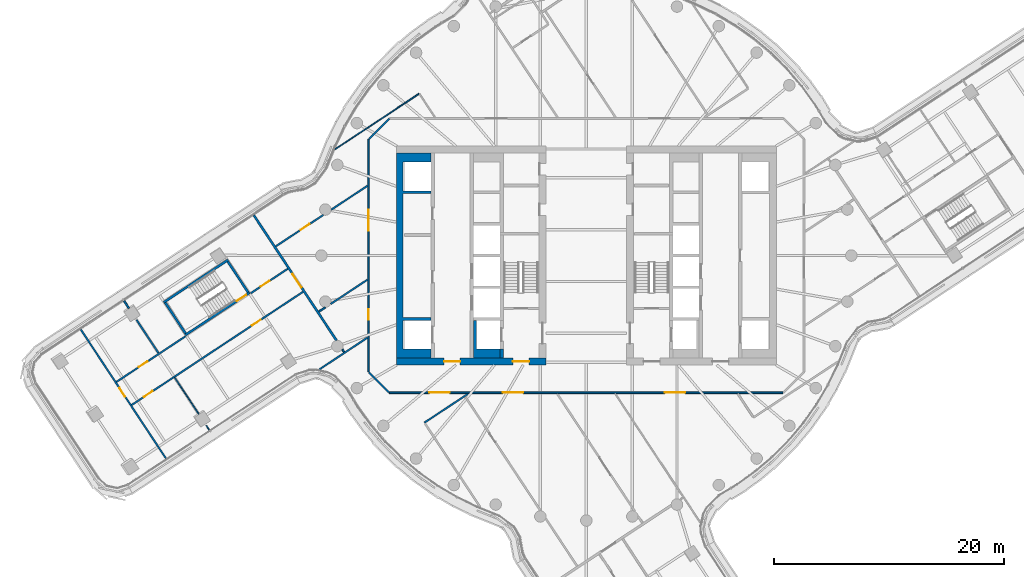
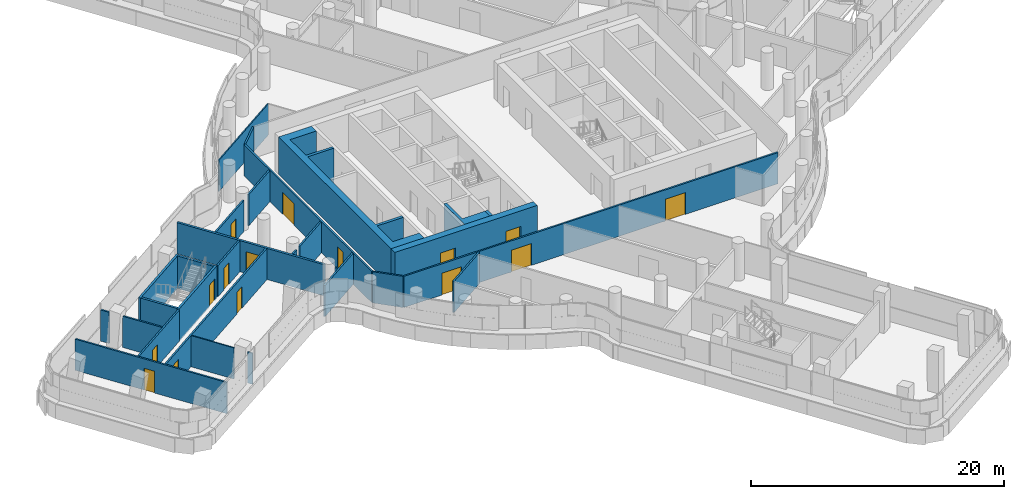
# One storey, part 23 of 35: 29 walls, 15 doors, 15 openings.
"""IFC4 building model written with IfcOpenShell, lengths in metres."""

from ifc_helpers import new_model, si_unit, direction, frame, frame_2d, origin, place, context, subcontext, project, spatial, polyline, rectangle, outline, extrude, material, layer, layer_set, type_object, element, fill, save


model = new_model("IFC4")

# Units and contexts
model_context = context("Model", 3, precision=1e-05, world=origin(), true_north=direction((0.0, 1.0)))
body_context = subcontext(model_context, "Body", "Model", "MODEL_VIEW")
ifc_project = project(units=[si_unit("LENGTHUNIT", "METRE"), si_unit("AREAUNIT", "SQUARE_METRE"), si_unit("VOLUMEUNIT", "CUBIC_METRE"), si_unit("PLANEANGLEUNIT", "RADIAN"), si_unit("MASSUNIT", "GRAM", prefix="KILO")], contexts=[model_context])

# Site, building, storey
site_placement = place(None, origin())
site = spatial("IfcSite", under=ifc_project, at=site_placement, CompositionType="ELEMENT")
building_placement = place(site_placement, origin())
building = spatial("IfcBuilding", under=site, at=building_placement, Name="Tamarind Cross Interchange Tower", CompositionType="ELEMENT")
storey_placement = place(building_placement, frame((0.0, 0.0, 155.5)))
storey = spatial("IfcBuildingStorey", under=building, at=storey_placement, Name="L38", CompositionType="ELEMENT", Elevation=155.5)

# Wall, openings, doors
ifc_material_1 = material(Name="Concrete C60", Category="concrete")
ifc_layer_1 = layer(ifc_material_1, 0.60009765625)
ifc_layer_set_1 = layer_set([ifc_layer_1], Name="Concrete C60")
wall_type_1 = type_object("IfcWallType", Name="Core wall 600 mm Concrete C60", PredefinedType="SHEAR", material=ifc_layer_set_1)
wall_1_placement = place(storey_placement, frame((-16.5, -9.199951171875, 0.0), z_axis=(0.0, 0.0, 1.0), x_axis=(1.0, 0.0, 0.0)))
wall_1 = element("IfcWall", 1, at=wall_1_placement, inside=storey, type_object=wall_type_1, Name="Core wall CWL-L38-W-S", PredefinedType="SHEAR", context=body_context, shape_type="SweptSolid", body=[
    extrude(rectangle(XDim=13.0, YDim=0.60009765625, at=frame_2d((6.5, 0.0))), origin(), (0.0, 0.0, 1.0), 3.610107421875),
])
opening_1_placement = place(wall_1_placement, frame((4.14990234375, 0.0, 0.0)))
opening_1 = element("IfcOpeningElement", 2, at=opening_1_placement, cuts=wall_1, Name="Opening DCW1", PredefinedType="OPENING", context=body_context, shape_type="SweptSolid", body=[
    extrude(rectangle(XDim=1.39990234375, YDim=2.10009765625, at=frame_2d((0.699951171875, 1.050048828125))), frame((0.0, 0.31005859375, 0.0), z_axis=(0.0, -1.0, 0.0), x_axis=(1.0, 0.0, 0.0)), (0.0, 0.0, 1.0), 0.6201171875),
])
opening_2_placement = place(wall_1_placement, frame((10.125, 0.0, 0.0)))
opening_2 = element("IfcOpeningElement", 3, at=opening_2_placement, cuts=wall_1, Name="Opening DCWF", PredefinedType="OPENING", context=body_context, shape_type="SweptSolid", body=[
    extrude(rectangle(XDim=1.39990234375, YDim=2.10009765625, at=frame_2d((0.699951171875, 1.050048828125))), frame((0.0, 0.31005859375, 0.0), z_axis=(0.0, -1.0, 0.0), x_axis=(1.0, 0.0, 0.0)), (0.0, 0.0, 1.0), 0.6201171875),
])
ifc_material_2 = material(Name="Steel, fire-resisting", Category="steel")
door_type_1 = type_object("IfcDoorType", Name="Core fire door 1400 x 2100 FD90", OperationType="SINGLE_SWING_LEFT", PredefinedType="DOOR", material=ifc_material_2)
door_1_placement = place(opening_1_placement, origin())
door_1 = element("IfcDoor", 4, at=door_1_placement, inside=storey, type_object=door_type_1, Name="L38 lift lobby door", OperationType="SINGLE_SWING_LEFT", OverallHeight=2.10009765625, OverallWidth=1.39990234375, PredefinedType="DOOR", context=body_context, shape_type="SweptSolid", body=[
    extrude(rectangle(XDim=1.39990234375, YDim=2.10009765625, at=frame_2d((0.699951171875, 1.050048828125))), frame((0.0, 0.02490234375, 0.0), z_axis=(0.0, -1.0, 0.0), x_axis=(1.0, 0.0, 0.0)), (0.0, 0.0, 1.0), 0.050048828125),
])
fill(opening_1, door_1)
door_2_placement = place(opening_2_placement, origin())
door_2 = element("IfcDoor", 5, at=door_2_placement, inside=storey, type_object=door_type_1, Name="L38 firefighting lobby end door", OperationType="SINGLE_SWING_LEFT", OverallHeight=2.10009765625, OverallWidth=1.39990234375, PredefinedType="DOOR", context=body_context, shape_type="SweptSolid", body=[
    extrude(rectangle(XDim=1.39990234375, YDim=2.10009765625, at=frame_2d((0.699951171875, 1.050048828125))), frame((0.0, 0.02490234375, 0.0), z_axis=(0.0, -1.0, 0.0), x_axis=(1.0, 0.0, 0.0)), (0.0, 0.0, 1.0), 0.050048828125),
])
fill(opening_2, door_2)

# Walls
wall_2_placement = place(storey_placement, origin())
element("IfcWall", 6, at=wall_2_placement, inside=storey, type_object=wall_type_1, Name="Core wall CWL-L38-W-A", PredefinedType="SHEAR", context=body_context, shape_type="SweptSolid", body=[
    extrude(outline(polyline([(-13.5, -8.125), (-15.89990234375, -8.125), (-15.89990234375, -5.625), (-13.5, -5.625), (-13.5, -5.375), (-15.89990234375, -5.375), (-15.89990234375, 5.375), (-13.5, 5.375), (-13.5, 5.625), (-15.89990234375, 5.625), (-15.89990234375, 8.125), (-13.5, 8.125), (-13.5, 8.89990234375), (-15.89990234375, 8.89990234375), (-16.5, 8.89990234375), (-16.5, -8.89990234375), (-15.89990234375, -8.89990234375), (-13.5, -8.89990234375), (-13.5, -8.125)])), origin(), (0.0, 0.0, 1.0), 3.610107421875),
])
ifc_layer_2 = layer(ifc_material_1, 0.300048828125)
ifc_layer_set_2 = layer_set([ifc_layer_2], Name="Concrete C60")
wall_type_2 = type_object("IfcWallType", Name="Core web wall 300 mm Concrete C60", PredefinedType="SHEAR", material=ifc_layer_set_2)
wall_3_placement = place(storey_placement, origin())
element("IfcWall", 7, at=wall_3_placement, inside=storey, type_object=wall_type_2, Name="Core wall CWL-L38-W-BS", PredefinedType="SHEAR", context=body_context, shape_type="SweptSolid", body=[
    extrude(outline(polyline([(-7.5, -8.125), (-9.550048828125, -8.125), (-9.550048828125, -5.625), (-9.800048828125, -5.625), (-9.800048828125, -8.125), (-9.800048828125, -8.89990234375), (-7.5, -8.89990234375), (-7.5, -8.125)])), origin(), (0.0, 0.0, 1.0), 3.610107421875),
])
wall_4_placement = place(storey_placement, frame((-7.35009765625, -8.89990234375, 0.0), z_axis=(0.0, 0.0, 1.0), x_axis=(0.0, 1.0, 0.0)))
element("IfcWall", 8, at=wall_4_placement, inside=storey, type_object=wall_type_2, Name="Core wall CWL-L38-W-BW", PredefinedType="SHEAR", context=body_context, shape_type="SweptSolid", body=[
    extrude(rectangle(XDim=0.77490234375, YDim=0.300048828125, at=frame_2d((0.387451171875, 0.0))), origin(), (0.0, 0.0, 1.0), 3.610107421875),
])
ifc_material_3 = material(Name="Gypsum board partition on steel studs", Category="steel")
ifc_layer_3 = layer(ifc_material_3, 0.10009765625)
ifc_layer_set_3 = layer_set([ifc_layer_3], Name="Gypsum board partition on steel studs")
wall_type_3 = type_object("IfcWallType", Name="Partition 100 mm EI 90", PredefinedType="PARTITIONING", material=ifc_layer_set_3)
wall_5_placement = place(storey_placement, frame((-35.734130859375, -10.59521484375, 0.0), z_axis=(0.0, 0.0, 1.0), x_axis=(0.551024308579, -0.834489191875, 0.0)))
element("IfcWall", 9, at=wall_5_placement, inside=storey, type_object=wall_type_3, Name="Partition L38-004", PredefinedType="PARTITIONING", context=body_context, shape_type="SweptSolid", body=[
    extrude(rectangle(XDim=3.791259765625, YDim=0.10009765625, at=frame_2d((1.8955078125, 0.0))), origin(), (0.0, 0.0, 1.0), 3.010009765625),
])
wall_6_placement = place(storey_placement, frame((-32.986328125, -14.756591796875, 0.0), z_axis=(0.0, 0.0, 1.0), x_axis=(0.551103835383, -0.834436673827, 0.0)))
element("IfcWall", 10, at=wall_6_placement, inside=storey, type_object=wall_type_3, Name="Partition L38-005", PredefinedType="PARTITIONING", context=body_context, shape_type="SweptSolid", body=[
    extrude(rectangle(XDim=0.455078125, YDim=0.10009765625, at=frame_2d((0.2275390625, 0.0))), origin(), (0.0, 0.0, 1.0), 3.010009765625),
])
wall_7_placement = place(storey_placement, frame((-21.8203125, 9.2255859375, 0.0), z_axis=(0.0, 0.0, 1.0), x_axis=(0.83453104674, 0.550960916969, 0.0)))
element("IfcWall", 11, at=wall_7_placement, inside=storey, type_object=wall_type_3, Name="Partition L38-049", PredefinedType="PARTITIONING", context=body_context, shape_type="SweptSolid", body=[
    extrude(rectangle(XDim=8.76708984375, YDim=0.10009765625, at=frame_2d((4.383544921875, 0.0))), origin(), (0.0, 0.0, 1.0), 3.010009765625),
])

# Wall, opening, door
ifc_layer_4 = layer(ifc_material_3, 0.14990234375)
ifc_layer_set_4 = layer_set([ifc_layer_4], Name="Gypsum board partition on steel studs")
wall_type_4 = type_object("IfcWallType", Name="Partition 150 mm EI 120", PredefinedType="PARTITIONING", material=ifc_layer_set_4)
wall_8_placement = place(storey_placement, frame((-43.883544921875, -6.420654296875, 0.0), z_axis=(0.0, 0.0, 1.0), x_axis=(0.550954341053, -0.83453538815, 0.0)))
wall_8 = element("IfcWall", 12, at=wall_8_placement, inside=storey, type_object=wall_type_4, Name="Partition L38-001", PredefinedType="PARTITIONING", context=body_context, shape_type="SweptSolid", body=[
    extrude(rectangle(XDim=13.40625, YDim=0.14990234375, at=frame_2d((6.703125, 0.0))), origin(), (0.0, 0.0, 1.0), 3.010009765625),
])
opening_3_placement = place(wall_8_placement, frame((6.09912109375, 0.0, 0.0)))
opening_3 = element("IfcOpeningElement", 13, at=opening_3_placement, cuts=wall_8, Name="Opening D01", PredefinedType="OPENING", context=body_context, shape_type="SweptSolid", body=[
    extrude(rectangle(XDim=0.89990234375, YDim=2.10009765625, at=frame_2d((0.449951171875, 1.050048828125))), frame((0.0, 0.0849609375, 0.0), z_axis=(0.0, -1.0, 0.0), x_axis=(1.0, 0.0, 0.0)), (0.0, 0.0, 1.0), 0.169921875),
])
ifc_material_4 = material(Name="Fire-resisting door set")
door_type_2 = type_object("IfcDoorType", Name="Interior door 900 x 2100 FD60S", OperationType="SINGLE_SWING_LEFT", PredefinedType="DOOR", material=ifc_material_4)
door_3_placement = place(opening_3_placement, frame((0.89990234375, 0.0, 0.0), z_axis=(0.0, 0.0, 1.0), x_axis=(-1.0, 0.0, 0.0)))
door_3 = element("IfcDoor", 14, at=door_3_placement, inside=storey, type_object=door_type_2, Name="Door D01", OperationType="SINGLE_SWING_LEFT", OverallHeight=2.10009765625, OverallWidth=0.89990234375, PredefinedType="DOOR", context=body_context, shape_type="SweptSolid", body=[
    extrude(rectangle(XDim=0.89990234375, YDim=2.10009765625, at=frame_2d((0.449951171875, 1.050048828125))), frame((0.0, 0.02490234375, 0.0), z_axis=(0.0, -1.0, 0.0), x_axis=(1.0, 0.0, 0.0)), (0.0, 0.0, 1.0), 0.050048828125),
])
fill(opening_3, door_3)

# Walls
wall_9_placement = place(storey_placement, frame((-40.128173828125, -3.94140625, 0.0), z_axis=(0.0, 0.0, 1.0), x_axis=(0.551099911523, -0.834439265327, 0.0)))
element("IfcWall", 15, at=wall_9_placement, inside=storey, type_object=wall_type_4, Name="Partition L38-002", PredefinedType="PARTITIONING", context=body_context, shape_type="SweptSolid", body=[
    extrude(rectangle(XDim=0.752197265625, YDim=0.14990234375, at=frame_2d((0.3759765625, 0.0))), origin(), (0.0, 0.0, 1.0), 3.010009765625),
])
wall_10_placement = place(storey_placement, frame((-39.054443359375, -5.5673828125, 0.0), z_axis=(0.0, 0.0, 1.0), x_axis=(0.551074475149, -0.834456064055, 0.0)))
element("IfcWall", 16, at=wall_10_placement, inside=storey, type_object=wall_type_4, Name="Partition L38-003", PredefinedType="PARTITIONING", context=body_context, shape_type="SweptSolid", body=[
    extrude(rectangle(XDim=3.47021484375, YDim=0.14990234375, at=frame_2d((1.735107421875, 0.0))), origin(), (0.0, 0.0, 1.0), 3.010009765625),
])
wall_11_placement = place(storey_placement, frame((-21.1826171875, -8.1328125, 0.0), z_axis=(0.0, 0.0, 1.0), x_axis=(0.550902449234, -0.834569644444, 0.0)))
element("IfcWall", 17, at=wall_11_placement, inside=storey, type_object=wall_type_4, Name="Partition L38-007", PredefinedType="PARTITIONING", context=body_context, shape_type="SweptSolid", body=[
    extrude(rectangle(XDim=0.2822265625, YDim=0.14990234375, at=frame_2d((0.14111328125, 0.0))), origin(), (0.0, 0.0, 1.0), 3.010009765625),
])
wall_12_placement = place(storey_placement, frame((-18.87158203125, -10.12841796875, 0.0), z_axis=(0.0, 0.0, 1.0), x_axis=(0.707106781187, -0.707106781187, 0.0)))
element("IfcWall", 18, at=wall_12_placement, inside=storey, type_object=wall_type_4, Name="Partition L38-037", PredefinedType="PARTITIONING", context=body_context, shape_type="SweptSolid", body=[
    extrude(rectangle(XDim=2.465087890625, YDim=0.14990234375, at=frame_2d((1.232421875, 0.0))), origin(), (0.0, 0.0, 1.0), 3.010009765625),
])

# Wall, openings, doors
wall_13_placement = place(storey_placement, frame((-17.10009765625, -11.89990234375, 0.0), z_axis=(0.0, 0.0, 1.0), x_axis=(1.0, 0.0, 0.0)))
wall_13 = element("IfcWall", 19, at=wall_13_placement, inside=storey, type_object=wall_type_4, Name="Partition L38-039", PredefinedType="PARTITIONING", context=body_context, shape_type="SweptSolid", body=[
    extrude(rectangle(XDim=34.1650390625, YDim=0.14990234375, at=frame_2d((17.08251953125, 0.0))), origin(), (0.0, 0.0, 1.0), 3.010009765625),
])
opening_4_placement = place(wall_13_placement, frame((9.837890625, 0.0, 0.0)))
opening_4 = element("IfcOpeningElement", 20, at=opening_4_placement, cuts=wall_13, Name="Opening D18", PredefinedType="OPENING", context=body_context, shape_type="SweptSolid", body=[
    extrude(rectangle(XDim=1.800048828125, YDim=2.10009765625, at=frame_2d((0.89990234375, 1.050048828125))), frame((0.0, 0.0849609375, 0.0), z_axis=(0.0, -1.0, 0.0), x_axis=(1.0, 0.0, 0.0)), (0.0, 0.0, 1.0), 0.169921875),
])
opening_5_placement = place(wall_13_placement, frame((3.449951171875, 0.0, 0.0)))
opening_5 = element("IfcOpeningElement", 21, at=opening_5_placement, cuts=wall_13, Name="Opening D19", PredefinedType="OPENING", context=body_context, shape_type="SweptSolid", body=[
    extrude(rectangle(XDim=1.800048828125, YDim=2.10009765625, at=frame_2d((0.89990234375, 1.050048828125))), frame((0.0, 0.0849609375, 0.0), z_axis=(0.0, -1.0, 0.0), x_axis=(1.0, 0.0, 0.0)), (0.0, 0.0, 1.0), 0.169921875),
])
opening_6_placement = place(wall_13_placement, frame((23.888916015625, 0.0, 0.0)))
opening_6 = element("IfcOpeningElement", 22, at=opening_6_placement, cuts=wall_13, Name="Opening D20", PredefinedType="OPENING", context=body_context, shape_type="SweptSolid", body=[
    extrude(rectangle(XDim=1.800048828125, YDim=2.10009765625, at=frame_2d((0.89990234375, 1.050048828125))), frame((0.0, 0.0849609375, 0.0), z_axis=(0.0, -1.0, 0.0), x_axis=(1.0, 0.0, 0.0)), (0.0, 0.0, 1.0), 0.169921875),
])
door_type_3 = type_object("IfcDoorType", Name="Interior door 1800 x 2100 FD60S", OperationType="DOUBLE_DOOR_SINGLE_SWING", PredefinedType="DOOR", material=ifc_material_4)
door_4_placement = place(opening_4_placement, origin())
door_4 = element("IfcDoor", 23, at=door_4_placement, inside=storey, type_object=door_type_3, Name="Door D18", OperationType="DOUBLE_DOOR_SINGLE_SWING", OverallHeight=2.10009765625, OverallWidth=1.800048828125, PredefinedType="DOOR", context=body_context, shape_type="SweptSolid", body=[
    extrude(rectangle(XDim=1.800048828125, YDim=2.10009765625, at=frame_2d((0.89990234375, 1.050048828125))), frame((0.0, 0.02490234375, 0.0), z_axis=(0.0, -1.0, 0.0), x_axis=(1.0, 0.0, 0.0)), (0.0, 0.0, 1.0), 0.050048828125),
])
fill(opening_4, door_4)
door_5_placement = place(opening_5_placement, frame((1.800048828125, 0.0, 0.0), z_axis=(0.0, 0.0, 1.0), x_axis=(-1.0, 0.0, 0.0)))
door_5 = element("IfcDoor", 24, at=door_5_placement, inside=storey, type_object=door_type_3, Name="Door D19", OperationType="DOUBLE_DOOR_SINGLE_SWING", OverallHeight=2.10009765625, OverallWidth=1.800048828125, PredefinedType="DOOR", context=body_context, shape_type="SweptSolid", body=[
    extrude(rectangle(XDim=1.800048828125, YDim=2.10009765625, at=frame_2d((0.89990234375, 1.050048828125))), frame((0.0, 0.02490234375, 0.0), z_axis=(0.0, -1.0, 0.0), x_axis=(1.0, 0.0, 0.0)), (0.0, 0.0, 1.0), 0.050048828125),
])
fill(opening_5, door_5)
door_6_placement = place(opening_6_placement, frame((1.800048828125, 0.0, 0.0), z_axis=(0.0, 0.0, 1.0), x_axis=(-1.0, 0.0, 0.0)))
door_6 = element("IfcDoor", 25, at=door_6_placement, inside=storey, type_object=door_type_3, Name="Door D20", OperationType="DOUBLE_DOOR_SINGLE_SWING", OverallHeight=2.10009765625, OverallWidth=1.800048828125, PredefinedType="DOOR", context=body_context, shape_type="SweptSolid", body=[
    extrude(rectangle(XDim=1.800048828125, YDim=2.10009765625, at=frame_2d((0.89990234375, 1.050048828125))), frame((0.0, 0.02490234375, 0.0), z_axis=(0.0, -1.0, 0.0), x_axis=(1.0, 0.0, 0.0)), (0.0, 0.0, 1.0), 0.050048828125),
])
fill(opening_6, door_6)

# Wall, opening, door
wall_14_placement = place(storey_placement, frame((-40.787109375, -10.9658203125, 0.0), z_axis=(0.0, 0.0, 1.0), x_axis=(0.834516532363, 0.550982901017, 0.0)))
wall_14 = element("IfcWall", 26, at=wall_14_placement, inside=storey, type_object=wall_type_4, Name="Partition L38-041", PredefinedType="PARTITIONING", context=body_context, shape_type="SweptSolid", body=[
    extrude(rectangle(XDim=7.179443359375, YDim=0.14990234375, at=frame_2d((3.58984375, 0.0))), origin(), (0.0, 0.0, 1.0), 3.010009765625),
])
opening_7_placement = place(wall_14_placement, frame((2.320068359375, 0.0, 0.0)))
opening_7 = element("IfcOpeningElement", 27, at=opening_7_placement, cuts=wall_14, Name="Opening D24", PredefinedType="OPENING", context=body_context, shape_type="SweptSolid", body=[
    extrude(rectangle(XDim=0.89990234375, YDim=2.10009765625, at=frame_2d((0.449951171875, 1.050048828125))), frame((0.0, 0.0849609375, 0.0), z_axis=(0.0, -1.0, 0.0), x_axis=(1.0, 0.0, 0.0)), (0.0, 0.0, 1.0), 0.169921875),
])
door_7_placement = place(opening_7_placement, origin())
door_7 = element("IfcDoor", 28, at=door_7_placement, inside=storey, type_object=door_type_2, Name="Door D24", OperationType="SINGLE_SWING_RIGHT", OverallHeight=2.10009765625, OverallWidth=0.89990234375, PredefinedType="DOOR", context=body_context, shape_type="SweptSolid", body=[
    extrude(rectangle(XDim=0.89990234375, YDim=2.10009765625, at=frame_2d((0.449951171875, 1.050048828125))), frame((0.0, 0.02490234375, 0.0), z_axis=(0.0, -1.0, 0.0), x_axis=(1.0, 0.0, 0.0)), (0.0, 0.0, 1.0), 0.050048828125),
])
fill(opening_7, door_7)

wall_15_placement = place(storey_placement, frame((-29.137451171875, -3.2744140625, 0.0), z_axis=(0.0, 0.0, 1.0), x_axis=(0.834522761969, 0.550973465563, 0.0)))
wall_15 = element("IfcWall", 29, at=wall_15_placement, inside=storey, type_object=wall_type_4, Name="Partition L38-042", PredefinedType="PARTITIONING", context=body_context, shape_type="SweptSolid", body=[
    extrude(rectangle(XDim=3.86083984375, YDim=0.14990234375, at=frame_2d((1.930419921875, 0.0))), origin(), (0.0, 0.0, 1.0), 3.010009765625),
])
opening_8_placement = place(wall_15_placement, frame((1.050048828125, 0.0, 0.0)))
opening_8 = element("IfcOpeningElement", 30, at=opening_8_placement, cuts=wall_15, Name="Opening D25", PredefinedType="OPENING", context=body_context, shape_type="SweptSolid", body=[
    extrude(rectangle(XDim=0.89990234375, YDim=2.10009765625, at=frame_2d((0.449951171875, 1.050048828125))), frame((0.0, 0.0849609375, 0.0), z_axis=(0.0, -1.0, 0.0), x_axis=(1.0, 0.0, 0.0)), (0.0, 0.0, 1.0), 0.169921875),
])
door_8_placement = place(opening_8_placement, origin())
door_8 = element("IfcDoor", 31, at=door_8_placement, inside=storey, type_object=door_type_2, Name="Door D25", OperationType="SINGLE_SWING_RIGHT", OverallHeight=2.10009765625, OverallWidth=0.89990234375, PredefinedType="DOOR", context=body_context, shape_type="SweptSolid", body=[
    extrude(rectangle(XDim=0.89990234375, YDim=2.10009765625, at=frame_2d((0.449951171875, 1.050048828125))), frame((0.0, 0.02490234375, 0.0), z_axis=(0.0, -1.0, 0.0), x_axis=(1.0, 0.0, 0.0)), (0.0, 0.0, 1.0), 0.050048828125),
])
fill(opening_8, door_8)

# Wall, openings, doors
wall_16_placement = place(storey_placement, frame((-39.464111328125, -12.968994140625, 0.0), z_axis=(0.0, 0.0, 1.0), x_axis=(0.834428590681, 0.551116074029, 0.0)))
wall_16 = element("IfcWall", 32, at=wall_16_placement, inside=storey, type_object=wall_type_4, Name="Partition L38-043", PredefinedType="PARTITIONING", context=body_context, shape_type="SweptSolid", body=[
    extrude(rectangle(XDim=17.81982421875, YDim=0.14990234375, at=frame_2d((8.909912109375, 0.0))), origin(), (0.0, 0.0, 1.0), 3.010009765625),
])
opening_9_placement = place(wall_16_placement, frame((12.52001953125, 0.0, 0.0)))
opening_9 = element("IfcOpeningElement", 33, at=opening_9_placement, cuts=wall_16, Name="Opening D26", PredefinedType="OPENING", context=body_context, shape_type="SweptSolid", body=[
    extrude(rectangle(XDim=0.89990234375, YDim=2.10009765625, at=frame_2d((0.449951171875, 1.050048828125))), frame((0.0, 0.0849609375, 0.0), z_axis=(0.0, -1.0, 0.0), x_axis=(1.0, 0.0, 0.0)), (0.0, 0.0, 1.0), 0.169921875),
])
opening_10_placement = place(wall_16_placement, frame((1.27001953125, 0.0, 0.0)))
opening_10 = element("IfcOpeningElement", 34, at=opening_10_placement, cuts=wall_16, Name="Opening D27", PredefinedType="OPENING", context=body_context, shape_type="SweptSolid", body=[
    extrude(rectangle(XDim=0.89990234375, YDim=2.10009765625, at=frame_2d((0.449951171875, 1.050048828125))), frame((0.0, 0.0849609375, 0.0), z_axis=(0.0, -1.0, 0.0), x_axis=(1.0, 0.0, 0.0)), (0.0, 0.0, 1.0), 0.169921875),
])
door_9_placement = place(opening_9_placement, frame((0.89990234375, 0.0, 0.0), z_axis=(0.0, 0.0, 1.0), x_axis=(-1.0, 0.0, 0.0)))
door_9 = element("IfcDoor", 35, at=door_9_placement, inside=storey, type_object=door_type_2, Name="Door D26", OperationType="SINGLE_SWING_RIGHT", OverallHeight=2.10009765625, OverallWidth=0.89990234375, PredefinedType="DOOR", context=body_context, shape_type="SweptSolid", body=[
    extrude(rectangle(XDim=0.89990234375, YDim=2.10009765625, at=frame_2d((0.449951171875, 1.050048828125))), frame((0.0, 0.02490234375, 0.0), z_axis=(0.0, -1.0, 0.0), x_axis=(1.0, 0.0, 0.0)), (0.0, 0.0, 1.0), 0.050048828125),
])
fill(opening_9, door_9)
door_10_placement = place(opening_10_placement, frame((0.89990234375, 0.0, 0.0), z_axis=(0.0, 0.0, 1.0), x_axis=(-1.0, 0.0, 0.0)))
door_10 = element("IfcDoor", 36, at=door_10_placement, inside=storey, type_object=door_type_2, Name="Door D27", OperationType="SINGLE_SWING_LEFT", OverallHeight=2.10009765625, OverallWidth=0.89990234375, PredefinedType="DOOR", context=body_context, shape_type="SweptSolid", body=[
    extrude(rectangle(XDim=0.89990234375, YDim=2.10009765625, at=frame_2d((0.449951171875, 1.050048828125))), frame((0.0, 0.02490234375, 0.0), z_axis=(0.0, -1.0, 0.0), x_axis=(1.0, 0.0, 0.0)), (0.0, 0.0, 1.0), 0.050048828125),
])
fill(opening_10, door_10)

# Wall, opening, door
wall_17_placement = place(storey_placement, frame((-26.96044921875, 0.799072265625, 0.0), z_axis=(0.0, 0.0, 1.0), x_axis=(0.834519729805, 0.550978058152, 0.0)))
wall_17 = element("IfcWall", 37, at=wall_17_placement, inside=storey, type_object=wall_type_4, Name="Partition L38-044", PredefinedType="PARTITIONING", context=body_context, shape_type="SweptSolid", body=[
    extrude(rectangle(XDim=4.95703125, YDim=0.14990234375, at=frame_2d((2.478515625, 0.0))), origin(), (0.0, 0.0, 1.0), 3.010009765625),
])
opening_11_placement = place(wall_17_placement, frame((2.60009765625, 0.0, 0.0)))
opening_11 = element("IfcOpeningElement", 38, at=opening_11_placement, cuts=wall_17, Name="Opening D28", PredefinedType="OPENING", context=body_context, shape_type="SweptSolid", body=[
    extrude(rectangle(XDim=0.89990234375, YDim=2.10009765625, at=frame_2d((0.449951171875, 1.050048828125))), frame((0.0, 0.0849609375, 0.0), z_axis=(0.0, -1.0, 0.0), x_axis=(1.0, 0.0, 0.0)), (0.0, 0.0, 1.0), 0.169921875),
])
door_11_placement = place(opening_11_placement, origin())
door_11 = element("IfcDoor", 39, at=door_11_placement, inside=storey, type_object=door_type_2, Name="Door D28", OperationType="SINGLE_SWING_LEFT", OverallHeight=2.10009765625, OverallWidth=0.89990234375, PredefinedType="DOOR", context=body_context, shape_type="SweptSolid", body=[
    extrude(rectangle(XDim=0.89990234375, YDim=2.10009765625, at=frame_2d((0.449951171875, 1.050048828125))), frame((0.0, 0.02490234375, 0.0), z_axis=(0.0, -1.0, 0.0), x_axis=(1.0, 0.0, 0.0)), (0.0, 0.0, 1.0), 0.050048828125),
])
fill(opening_11, door_11)

# Walls
wall_18_placement = place(storey_placement, frame((-22.14453125, 3.978759765625, 0.0), z_axis=(0.0, 0.0, 1.0), x_axis=(0.834514075332, 0.550986622409, 0.0)))
element("IfcWall", 40, at=wall_18_placement, inside=storey, type_object=wall_type_4, Name="Partition L38-045", PredefinedType="PARTITIONING", context=body_context, shape_type="SweptSolid", body=[
    extrude(rectangle(XDim=3.76806640625, YDim=0.14990234375, at=frame_2d((1.884033203125, 0.0))), origin(), (0.0, 0.0, 1.0), 3.010009765625),
])
wall_19_placement = place(storey_placement, frame((-23.21044921875, -4.873046875, 0.0), z_axis=(0.0, 0.0, 1.0), x_axis=(0.834729938558, 0.550659540619, 0.0)))
element("IfcWall", 41, at=wall_19_placement, inside=storey, type_object=wall_type_4, Name="Partition L38-046", PredefinedType="PARTITIONING", context=body_context, shape_type="SweptSolid", body=[
    extrude(rectangle(XDim=0.67041015625, YDim=0.14990234375, at=frame_2d((0.335205078125, 0.0))), origin(), (0.0, 0.0, 1.0), 3.010009765625),
])
wall_20_placement = place(storey_placement, frame((-22.19677734375, -4.203857421875, 0.0), z_axis=(0.0, 0.0, 1.0), x_axis=(0.834493361806, 0.551017993446, 0.0)))
element("IfcWall", 42, at=wall_20_placement, inside=storey, type_object=wall_type_4, Name="Partition L38-047", PredefinedType="PARTITIONING", context=body_context, shape_type="SweptSolid", body=[
    extrude(rectangle(XDim=3.830810546875, YDim=0.14990234375, at=frame_2d((1.91552734375, 0.0))), origin(), (0.0, 0.0, 1.0), 3.010009765625),
])
wall_21_placement = place(storey_placement, frame((-23.177001953125, -9.88427734375, 0.0), z_axis=(0.0, 0.0, 1.0), x_axis=(0.834495924201, 0.551014112788, 0.0)))
element("IfcWall", 43, at=wall_21_placement, inside=storey, type_object=wall_type_4, Name="Partition L38-048", PredefinedType="PARTITIONING", context=body_context, shape_type="SweptSolid", body=[
    extrude(rectangle(XDim=5.00537109375, YDim=0.14990234375, at=frame_2d((2.502685546875, 0.0))), origin(), (0.0, 0.0, 1.0), 3.010009765625),
])
wall_22_placement = place(storey_placement, frame((-14.055908203125, -14.50390625, 0.0), z_axis=(0.0, 0.0, 1.0), x_axis=(0.834539732237, 0.550947760971, 0.0)))
element("IfcWall", 44, at=wall_22_placement, inside=storey, type_object=wall_type_4, Name="Partition L38-051", PredefinedType="PARTITIONING", context=body_context, shape_type="SweptSolid", body=[
    extrude(rectangle(XDim=4.510986328125, YDim=0.14990234375, at=frame_2d((2.25537109375, 0.0))), origin(), (0.0, 0.0, 1.0), 3.010009765625),
])
wall_23_placement = place(storey_placement, frame((-18.87158203125, 10.12841796875, 0.0), z_axis=(0.0, 0.0, 1.0), x_axis=(0.707106781187, 0.707106781187, 0.0)))
element("IfcWall", 45, at=wall_23_placement, inside=storey, type_object=wall_type_4, Name="Partition L38-076", PredefinedType="PARTITIONING", context=body_context, shape_type="SweptSolid", body=[
    extrude(rectangle(XDim=2.50537109375, YDim=0.14990234375, at=frame_2d((1.252685546875, 0.0))), origin(), (0.0, 0.0, 1.0), 3.010009765625),
])

# Wall, openings, doors
wall_24_placement = place(storey_placement, frame((-18.89990234375, -10.10009765625, 0.0), z_axis=(0.0, 0.0, 1.0), x_axis=(0.0, 1.0, 0.0)))
wall_24 = element("IfcWall", 46, at=wall_24_placement, inside=storey, type_object=wall_type_4, Name="Partition L38-078", PredefinedType="PARTITIONING", context=body_context, shape_type="SweptSolid", body=[
    extrude(rectangle(XDim=20.2001953125, YDim=0.14990234375, at=frame_2d((10.10009765625, 0.0))), origin(), (0.0, 0.0, 1.0), 3.010009765625),
])
opening_12_placement = place(wall_24_placement, frame((12.27294921875, 0.0, 0.0)))
opening_12 = element("IfcOpeningElement", 47, at=opening_12_placement, cuts=wall_24, Name="Opening D39", PredefinedType="OPENING", context=body_context, shape_type="SweptSolid", body=[
    extrude(rectangle(XDim=1.800048828125, YDim=2.10009765625, at=frame_2d((0.89990234375, 1.050048828125))), frame((0.0, 0.0849609375, 0.0), z_axis=(0.0, -1.0, 0.0), x_axis=(1.0, 0.0, 0.0)), (0.0, 0.0, 1.0), 0.169921875),
])
opening_13_placement = place(wall_24_placement, frame((4.5400390625, 0.0, 0.0)))
opening_13 = element("IfcOpeningElement", 48, at=opening_13_placement, cuts=wall_24, Name="Opening D40", PredefinedType="OPENING", context=body_context, shape_type="SweptSolid", body=[
    extrude(rectangle(XDim=0.89990234375, YDim=2.10009765625, at=frame_2d((0.449951171875, 1.050048828125))), frame((0.0, 0.0849609375, 0.0), z_axis=(0.0, -1.0, 0.0), x_axis=(1.0, 0.0, 0.0)), (0.0, 0.0, 1.0), 0.169921875),
])
door_12_placement = place(opening_12_placement, frame((1.800048828125, 0.0, 0.0), z_axis=(0.0, 0.0, 1.0), x_axis=(-1.0, 0.0, 0.0)))
door_12 = element("IfcDoor", 49, at=door_12_placement, inside=storey, type_object=door_type_3, Name="Door D39", OperationType="DOUBLE_DOOR_SINGLE_SWING", OverallHeight=2.10009765625, OverallWidth=1.800048828125, PredefinedType="DOOR", context=body_context, shape_type="SweptSolid", body=[
    extrude(rectangle(XDim=1.800048828125, YDim=2.10009765625, at=frame_2d((0.89990234375, 1.050048828125))), frame((0.0, 0.02490234375, 0.0), z_axis=(0.0, -1.0, 0.0), x_axis=(1.0, 0.0, 0.0)), (0.0, 0.0, 1.0), 0.050048828125),
])
fill(opening_12, door_12)
door_13_placement = place(opening_13_placement, origin())
door_13 = element("IfcDoor", 50, at=door_13_placement, inside=storey, type_object=door_type_2, Name="Door D40", OperationType="SINGLE_SWING_RIGHT", OverallHeight=2.10009765625, OverallWidth=0.89990234375, PredefinedType="DOOR", context=body_context, shape_type="SweptSolid", body=[
    extrude(rectangle(XDim=0.89990234375, YDim=2.10009765625, at=frame_2d((0.449951171875, 1.050048828125))), frame((0.0, 0.02490234375, 0.0), z_axis=(0.0, -1.0, 0.0), x_axis=(1.0, 0.0, 0.0)), (0.0, 0.0, 1.0), 0.050048828125),
])
fill(opening_13, door_13)

# Wall, opening, door
ifc_layer_5 = layer(ifc_material_3, 0.199951171875)
ifc_layer_set_5 = layer_set([ifc_layer_5], Name="Gypsum board partition on steel studs")
wall_type_5 = type_object("IfcWallType", Name="Partition 200 mm EI 180", PredefinedType="PARTITIONING", material=ifc_layer_set_5)
wall_25_placement = place(storey_placement, frame((-28.8623046875, 3.496826171875, 0.0), z_axis=(0.0, 0.0, 1.0), x_axis=(0.551049471112, -0.834472576174, 0.0)))
wall_25 = element("IfcWall", 51, at=wall_25_placement, inside=storey, type_object=wall_type_5, Name="Partition L38-006", PredefinedType="PARTITIONING", context=body_context, shape_type="SweptSolid", body=[
    extrude(rectangle(XDim=13.028564453125, YDim=0.199951171875, at=frame_2d((6.51416015625, 0.0))), origin(), (0.0, 0.0, 1.0), 3.010009765625),
])
opening_14_placement = place(wall_25_placement, frame((6.09912109375, 0.0, 0.0)))
opening_14 = element("IfcOpeningElement", 52, at=opening_14_placement, cuts=wall_25, Name="Opening D02", PredefinedType="OPENING", context=body_context, shape_type="SweptSolid", body=[
    extrude(rectangle(XDim=1.39990234375, YDim=2.10009765625, at=frame_2d((0.699951171875, 1.050048828125))), frame((0.0, 0.10986328125, 0.0), z_axis=(0.0, -1.0, 0.0), x_axis=(1.0, 0.0, 0.0)), (0.0, 0.0, 1.0), 0.219970703125),
])
door_type_4 = type_object("IfcDoorType", Name="Interior door 1400 x 2100 FD120S", OperationType="DOUBLE_DOOR_SINGLE_SWING", PredefinedType="DOOR", material=ifc_material_4)
door_14_placement = place(opening_14_placement, origin())
door_14 = element("IfcDoor", 53, at=door_14_placement, inside=storey, type_object=door_type_4, Name="Door D02", OperationType="DOUBLE_DOOR_SINGLE_SWING", OverallHeight=2.10009765625, OverallWidth=1.39990234375, PredefinedType="DOOR", context=body_context, shape_type="SweptSolid", body=[
    extrude(rectangle(XDim=1.39990234375, YDim=2.10009765625, at=frame_2d((0.699951171875, 1.050048828125))), frame((0.0, 0.02490234375, 0.0), z_axis=(0.0, -1.0, 0.0), x_axis=(1.0, 0.0, 0.0)), (0.0, 0.0, 1.0), 0.050048828125),
])
fill(opening_14, door_14)

ifc_material_5 = material(Name="Concrete C40", Category="concrete")
ifc_layer_6 = layer(ifc_material_5, 0.199951171875)
ifc_layer_set_6 = layer_set([ifc_layer_6], Name="Concrete C40")
wall_type_6 = type_object("IfcWallType", Name="Stair shaft wall 200 mm Concrete C40", PredefinedType="SHEAR", material=ifc_layer_set_6)
wall_26_placement = place(storey_placement, frame((-29.2255859375, -3.212646484375, -0.139892578125), z_axis=(0.0, 0.0, 1.0), x_axis=(-0.834514241837, -0.550986370222, 0.0)))
wall_26 = element("IfcWall", 54, at=wall_26_placement, inside=storey, type_object=wall_type_6, Name="Core wall CWL-L38-ST5-H", PredefinedType="SHEAR", context=body_context, shape_type="SweptSolid", body=[
    extrude(rectangle(XDim=6.7001953125, YDim=0.199951171875, at=frame_2d((3.35009765625, 0.0))), origin(), (0.0, 0.0, 1.0), 3.14990234375),
])
opening_15_placement = place(wall_26_placement, frame((0.35009765625, 0.0, 0.0)))
opening_15 = element("IfcOpeningElement", 55, at=opening_15_placement, cuts=wall_26, Name="Opening ST5L38", PredefinedType="OPENING", context=body_context, shape_type="SweptSolid", body=[
    extrude(rectangle(XDim=1.0, YDim=2.10009765625, at=frame_2d((0.5, 1.050048828125))), frame((0.0, 0.10986328125, 0.0), z_axis=(0.0, -1.0, 0.0), x_axis=(1.0, 0.0, 0.0)), (0.0, 0.0, 1.0), 0.219970703125),
])
door_type_5 = type_object("IfcDoorType", Name="Core fire door 1000 x 2100 FD90", OperationType="SINGLE_SWING_LEFT", PredefinedType="DOOR", material=ifc_material_2)
door_15_placement = place(opening_15_placement, origin())
door_15 = element("IfcDoor", 56, at=door_15_placement, inside=storey, type_object=door_type_5, Name="L38 stair door ST5", OperationType="SINGLE_SWING_LEFT", OverallHeight=2.10009765625, OverallWidth=1.0, PredefinedType="DOOR", context=body_context, shape_type="SweptSolid", body=[
    extrude(rectangle(XDim=1.0, YDim=2.10009765625, at=frame_2d((0.5, 1.050048828125))), frame((0.0, 0.02490234375, 0.0), z_axis=(0.0, -1.0, 0.0), x_axis=(1.0, 0.0, 0.0)), (0.0, 0.0, 1.0), 0.050048828125),
])
fill(opening_15, door_15)

# Walls
wall_27_placement = place(storey_placement, frame((-31.098876953125, -0.375244140625, -0.139892578125), z_axis=(0.0, 0.0, 1.0), x_axis=(-0.834514241837, -0.550986370222, 0.0)))
element("IfcWall", 57, at=wall_27_placement, inside=storey, type_object=wall_type_6, Name="Core wall CWL-L38-ST5-C", PredefinedType="SHEAR", context=body_context, shape_type="SweptSolid", body=[
    extrude(rectangle(XDim=6.7001953125, YDim=0.199951171875, at=frame_2d((3.35009765625, 0.0))), origin(), (0.0, 0.0, 1.0), 3.14990234375),
])
wall_28_placement = place(storey_placement, frame((-31.127197265625, -0.513916015625, -0.139892578125), z_axis=(0.0, 0.0, 1.0), x_axis=(0.550997380847, -0.83450697199, 0.0)))
element("IfcWall", 58, at=wall_28_placement, inside=storey, type_object=wall_type_6, Name="Core wall CWL-L38-ST5-CE", PredefinedType="SHEAR", context=body_context, shape_type="SweptSolid", body=[
    extrude(rectangle(XDim=3.199951171875, YDim=0.199951171875, at=frame_2d((1.60009765625, 0.0))), origin(), (0.0, 0.0, 1.0), 3.14990234375),
])
wall_29_placement = place(storey_placement, frame((0.0, 0.0, -0.139892578125)))
element("IfcWall", 59, at=wall_29_placement, inside=storey, type_object=wall_type_6, Name="Core wall CWL-L38-ST5-CF", PredefinedType="SHEAR", context=body_context, shape_type="SweptSolid", body=[
    extrude(outline(polyline([(-36.46826171875, -4.0400390625), (-36.635009765625, -4.150390625), (-34.8720703125, -6.82080078125), (-34.705078125, -6.71044921875), (-36.46826171875, -4.0400390625)])), origin(), (0.0, 0.0, 1.0), 3.14990234375),
])

save(model, "model.ifc")
